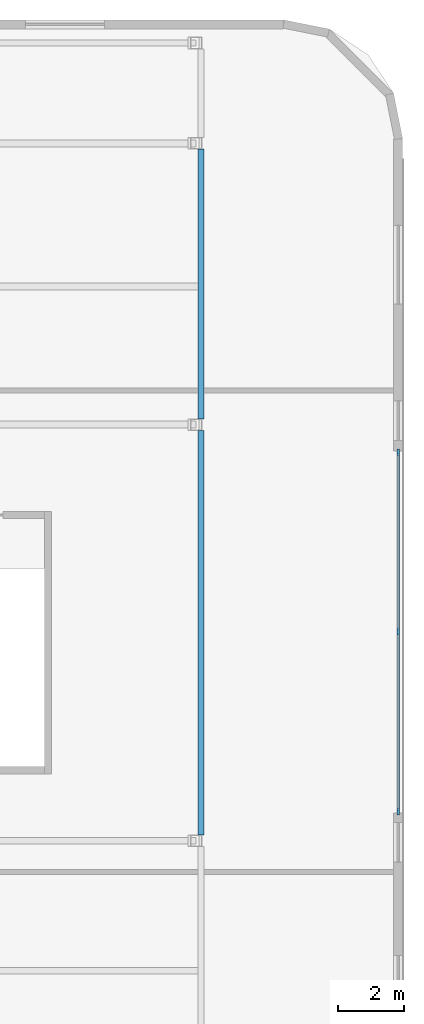
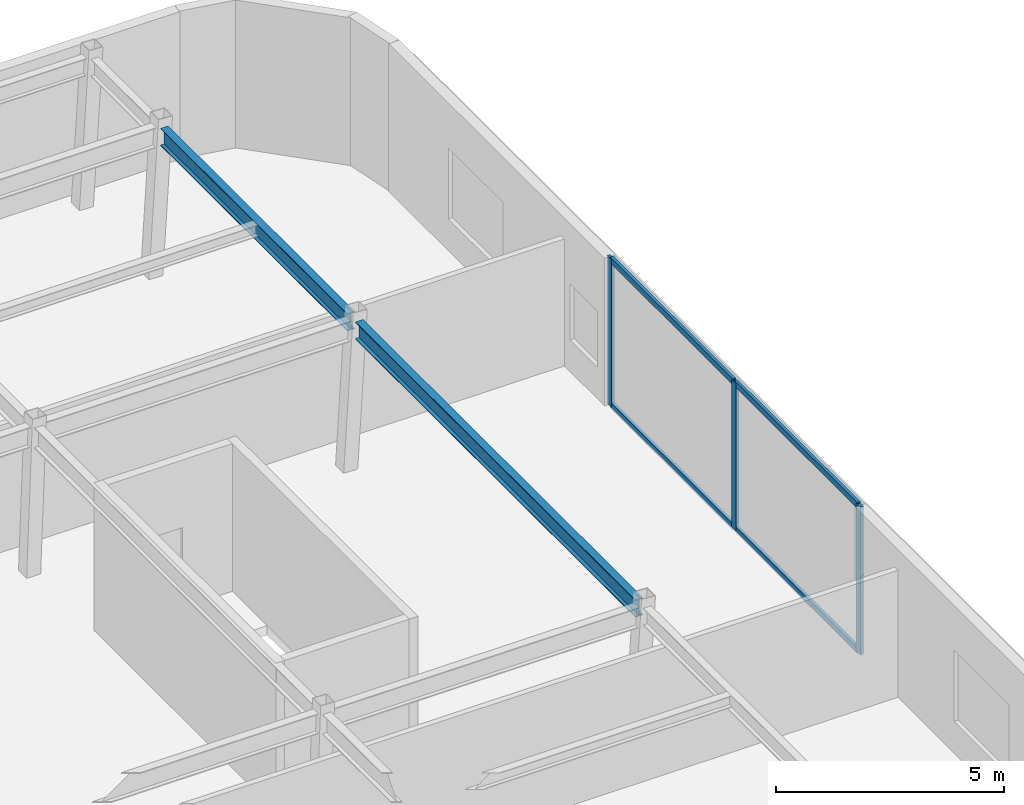
# One storey, part 2 of 8: 7 members, 2 beams, 1 element without a shape of its own.
"""IFC4 building model written with IfcOpenShell, lengths in metres."""

from ifc_helpers import new_model, si_unit, direction, frame, origin, origin_2d, place, context, subcontext, project, spatial, rectangle, i_section, extrude, material, layer, layer_set, material_profile, profile_set, type_object, element, aggregate, save


model = new_model("IFC4")

# Units and contexts
model_context = context("Model", 3, precision=1e-05, world=origin(), true_north=direction((0.0, 1.0)))
body_context = subcontext(model_context, "Body", "Model", "MODEL_VIEW")
ifc_project = project(units=[si_unit("LENGTHUNIT", "METRE"), si_unit("AREAUNIT", "SQUARE_METRE"), si_unit("VOLUMEUNIT", "CUBIC_METRE"), si_unit("PLANEANGLEUNIT", "RADIAN"), si_unit("MASSUNIT", "GRAM", prefix="KILO")], contexts=[model_context])

# Site, building, storey
site_placement = place(None, origin())
site = spatial("IfcSite", under=ifc_project, at=site_placement, CompositionType="ELEMENT")
building_placement = place(site_placement, origin())
building = spatial("IfcBuilding", under=site, at=building_placement, Name="Ochreholt Gables", CompositionType="ELEMENT")
storey_placement = place(building_placement, frame((0.0, 0.0, 231.0)))
storey = spatial("IfcBuildingStorey", under=building, at=storey_placement, Name="L60", CompositionType="ELEMENT", Elevation=231.0)

# Beams
ifc_material_1 = material(Name="Steel CSA G40.21 350W", Category="steel")
ifc_material_profile_1 = material_profile(ifc_material_1, i_section(OverallWidth=0.19189453125, OverallDepth=0.462890625, WebThickness=0.010498046875, FlangeThickness=0.017578125, at=origin_2d()), Name="W460X89")
ifc_profile_set_1 = profile_set([ifc_material_profile_1], Name="Steel CSA G40.21 350W")
beam_type = type_object("IfcBeamType", Name="BM-SP-W460A", PredefinedType="SPANDREL", material=ifc_profile_set_1)
beam_1_placement = place(storey_placement, frame((56.27001953125, 17.7275390625, 3.728515625), z_axis=(0.0, 1.0, 0.0), x_axis=(-1.0, 0.0, 0.0)))
element("IfcBeam", 1, at=beam_1_placement, inside=storey, type_object=beam_type, Name="L60 Beam TBN-L60-EE-Y3Y4", PredefinedType="SPANDREL", context=body_context, shape_type="SweptSolid", body=[
    extrude(i_section(OverallWidth=0.19189453125, OverallDepth=0.462890625, WebThickness=0.010498046875, FlangeThickness=0.017578125, at=origin_2d()), origin(), (0.0, 0.0, 1.0), 12.294921875),
])
beam_2_placement = place(storey_placement, frame((56.27001953125, 30.377685546875, 3.728515625), z_axis=(0.0, 1.0, 0.0), x_axis=(-1.0, 0.0, 0.0)))
element("IfcBeam", 2, at=beam_2_placement, inside=storey, type_object=beam_type, Name="L60 Beam TBN-L60-EE-Y4Y5", PredefinedType="SPANDREL", context=body_context, shape_type="SweptSolid", body=[
    extrude(i_section(OverallWidth=0.19189453125, OverallDepth=0.462890625, WebThickness=0.010498046875, FlangeThickness=0.017578125, at=origin_2d()), origin(), (0.0, 0.0, 1.0), 8.19482421875),
])

# Curtain wall, members
ifc_material_2 = material(Name="Unitised Aluminium and Triple Glazing", Category="aluminium")
ifc_layer = layer(ifc_material_2, 0.219970703125, Name="Unitised Aluminium and Triple Glazing")
ifc_layer_set = layer_set([ifc_layer], Name="Unitised Aluminium and Triple Glazing")
curtain_wall_type = type_object("IfcCurtainWallType", Name="CW-SYS6", PredefinedType="NOTDEFINED", material=ifc_layer_set)
curtain_wall_placement = place(storey_placement, origin())
curtain_wall = element("IfcCurtainWall", 3, at=curtain_wall_placement, inside=storey, type_object=curtain_wall_type, Name="L60 East Unitised Curtain Wall", PredefinedType="NOTDEFINED")
ifc_material_3 = material(Name="Anodized Aluminium 6063-T6", Category="aluminium")
ifc_material_profile_2 = material_profile(ifc_material_3, rectangle(XDim=0.074951171875, YDim=0.199951171875, at=origin_2d()), Name="CWM75X200")
ifc_profile_set_2 = profile_set([ifc_material_profile_2], Name="Anodized Aluminium 6063-T6")
member_type_1 = type_object("IfcMemberType", Name="CW-MUL-A", PredefinedType="MULLION", material=ifc_profile_set_2)
member_1_placement = place(storey_placement, frame((62.264892578125, 18.4375, 0.0), z_axis=(0.0, 0.0, 1.0), x_axis=(-1.0, 0.0, 0.0)))
member_1 = element("IfcMember", 4, at=member_1_placement, type_object=member_type_1, Name="CW-6 mullion 1", PredefinedType="MULLION", context=body_context, shape_type="SweptSolid", body=[
    extrude(rectangle(XDim=0.074951171875, YDim=0.199951171875, at=origin_2d()), origin(), (0.0, 0.0, 1.0), 3.9599609375),
])
member_2_placement = place(storey_placement, frame((62.264892578125, 23.89990234375, 0.0), z_axis=(0.0, 0.0, 1.0), x_axis=(-1.0, 0.0, 0.0)))
member_2 = element("IfcMember", 5, at=member_2_placement, type_object=member_type_1, Name="CW-6 mullion 2", PredefinedType="MULLION", context=body_context, shape_type="SweptSolid", body=[
    extrude(rectangle(XDim=0.074951171875, YDim=0.199951171875, at=origin_2d()), origin(), (0.0, 0.0, 1.0), 3.9599609375),
])
member_3_placement = place(storey_placement, frame((62.264892578125, 29.362548828125, 0.0), z_axis=(0.0, 0.0, 1.0), x_axis=(-1.0, 0.0, 0.0)))
member_3 = element("IfcMember", 6, at=member_3_placement, type_object=member_type_1, Name="CW-6 mullion 3", PredefinedType="MULLION", context=body_context, shape_type="SweptSolid", body=[
    extrude(rectangle(XDim=0.074951171875, YDim=0.199951171875, at=origin_2d()), origin(), (0.0, 0.0, 1.0), 3.9599609375),
])
ifc_material_profile_3 = material_profile(ifc_material_3, rectangle(XDim=0.074951171875, YDim=0.159912109375, at=origin_2d()), Name="CWT75X160")
ifc_profile_set_3 = profile_set([ifc_material_profile_3], Name="Anodized Aluminium 6063-T6")
member_type_2 = type_object("IfcMemberType", Name="CW-TRN-A", PredefinedType="USERDEFINED", material=ifc_profile_set_3)
member_4_placement = place(storey_placement, frame((62.264892578125, 18.47509765625, 0.03759765625), z_axis=(0.0, 1.0, 0.0), x_axis=(-1.0, 0.0, 0.0)))
member_4 = element("IfcMember", 7, at=member_4_placement, type_object=member_type_2, Name="CW-6 transom 1.1", ObjectType="TRANSOM", PredefinedType="USERDEFINED", context=body_context, shape_type="SweptSolid", body=[
    extrude(rectangle(XDim=0.074951171875, YDim=0.159912109375, at=origin_2d()), origin(), (0.0, 0.0, 1.0), 5.387451171875),
])
member_5_placement = place(storey_placement, frame((62.264892578125, 18.47509765625, 3.922607421875), z_axis=(0.0, 1.0, 0.0), x_axis=(-1.0, 0.0, 0.0)))
member_5 = element("IfcMember", 8, at=member_5_placement, type_object=member_type_2, Name="CW-6 transom 1.2", ObjectType="TRANSOM", PredefinedType="USERDEFINED", context=body_context, shape_type="SweptSolid", body=[
    extrude(rectangle(XDim=0.074951171875, YDim=0.159912109375, at=origin_2d()), origin(), (0.0, 0.0, 1.0), 5.387451171875),
])
member_6_placement = place(storey_placement, frame((62.264892578125, 23.9375, 0.03759765625), z_axis=(0.0, 1.0, 0.0), x_axis=(-1.0, 0.0, 0.0)))
member_6 = element("IfcMember", 9, at=member_6_placement, type_object=member_type_2, Name="CW-6 transom 2.1", ObjectType="TRANSOM", PredefinedType="USERDEFINED", context=body_context, shape_type="SweptSolid", body=[
    extrude(rectangle(XDim=0.074951171875, YDim=0.159912109375, at=origin_2d()), origin(), (0.0, 0.0, 1.0), 5.387451171875),
])
member_7_placement = place(storey_placement, frame((62.264892578125, 23.9375, 3.922607421875), z_axis=(0.0, 1.0, 0.0), x_axis=(-1.0, 0.0, 0.0)))
member_7 = element("IfcMember", 10, at=member_7_placement, type_object=member_type_2, Name="CW-6 transom 2.2", ObjectType="TRANSOM", PredefinedType="USERDEFINED", context=body_context, shape_type="SweptSolid", body=[
    extrude(rectangle(XDim=0.074951171875, YDim=0.159912109375, at=origin_2d()), origin(), (0.0, 0.0, 1.0), 5.387451171875),
])
aggregate(curtain_wall, [member_1, member_2, member_3, member_4, member_5, member_6, member_7])

save(model, "model.ifc")
